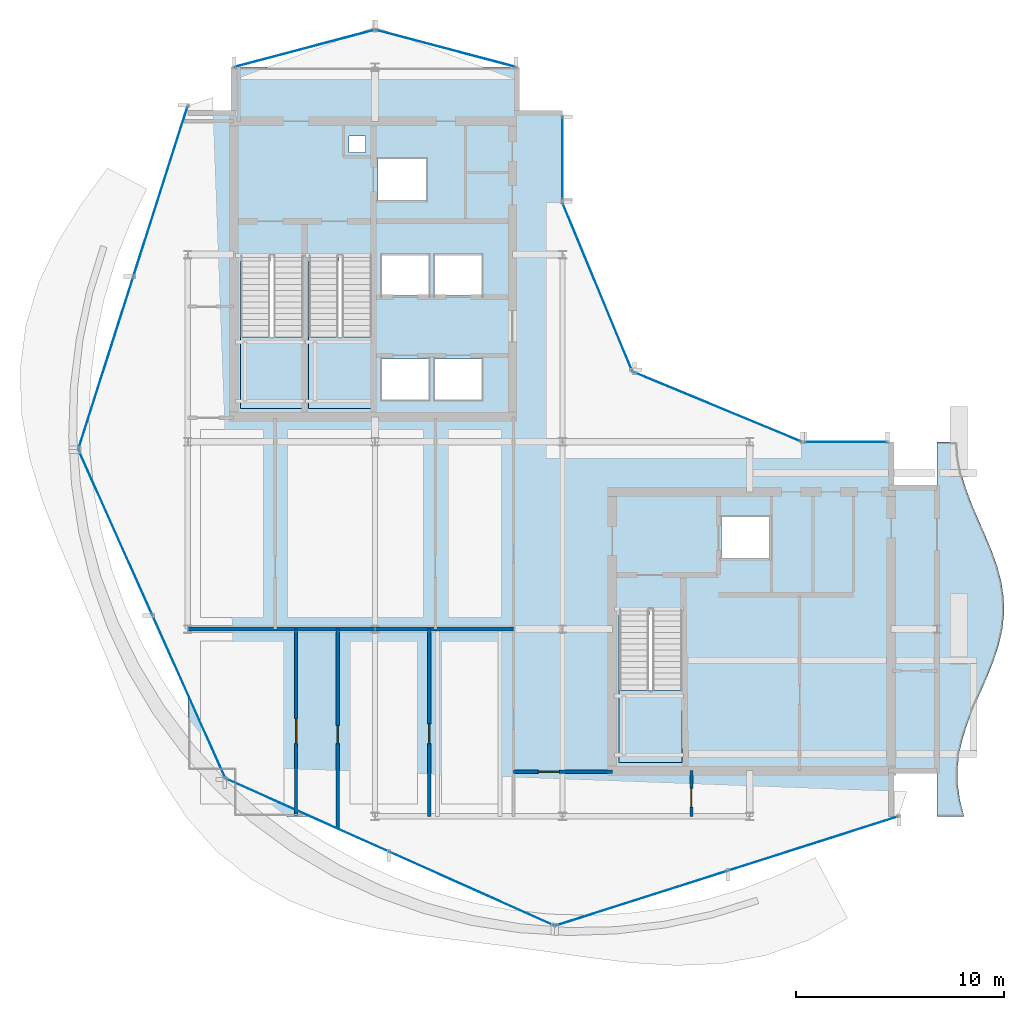
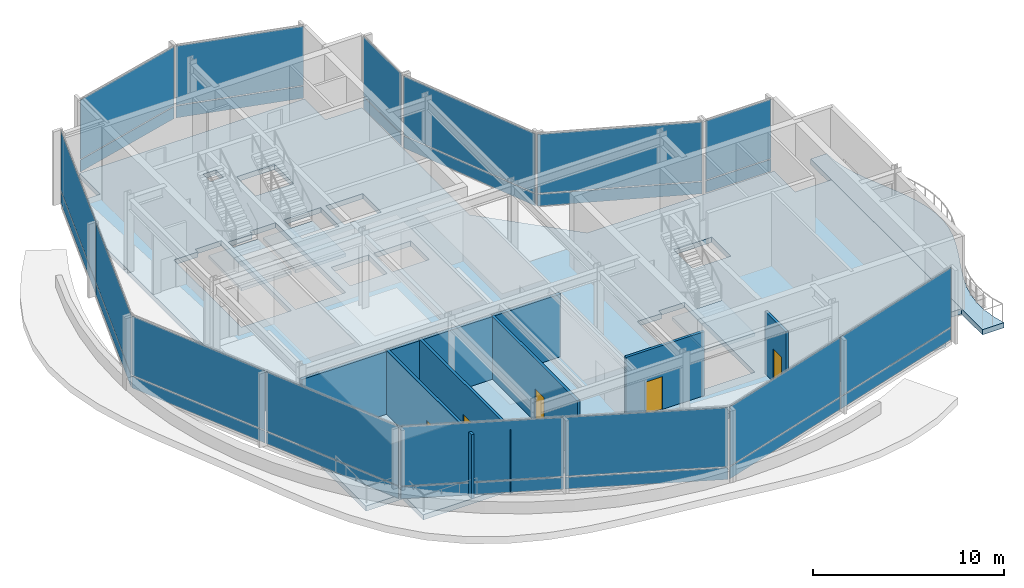
# One storey, part 16 of 23: 28 plates, 6 walls, 5 doors, 5 slabs, 5 openings, 13 elements without a shape of their own.
"""IFC4 building model written with IfcOpenShell, lengths in metres."""

from ifc_helpers import new_model, si_unit, direction, frame, frame_2d, origin, origin_2d, place, context, subcontext, project, spatial, polyline, rectangle, outline, extrude, material, layer, layer_set, type_object, element, fill, aggregate, save


model = new_model("IFC4")

# Units and contexts
model_context = context("Model", 3, precision=1e-05, world=origin(), true_north=direction((0.0, 1.0)))
body_context = subcontext(model_context, "Body", "Model", "MODEL_VIEW")
ifc_project = project(units=[si_unit("LENGTHUNIT", "METRE"), si_unit("AREAUNIT", "SQUARE_METRE"), si_unit("VOLUMEUNIT", "CUBIC_METRE"), si_unit("PLANEANGLEUNIT", "RADIAN"), si_unit("MASSUNIT", "GRAM", prefix="KILO")], contexts=[model_context])

# Site, building, storey
site_placement = place(None, origin())
site = spatial("IfcSite", under=ifc_project, at=site_placement, CompositionType="ELEMENT")
building_placement = place(site_placement, origin())
building = spatial("IfcBuilding", under=site, at=building_placement, Name="Solvaryn Broadcast Tower", CompositionType="ELEMENT")
storey_placement = place(building_placement, frame((0.0, 0.0, 235.800048828125)))
storey = spatial("IfcBuildingStorey", under=building, at=storey_placement, Name="L59", CompositionType="ELEMENT", Elevation=235.800048828125)

# Curtain wall, plates
ifc_material_1 = material(Name="Aluminium and Terracotta Unitised Curtain Wall", Category="masonry")
ifc_layer_1 = layer(ifc_material_1, 0.25)
ifc_layer_set_1 = layer_set([ifc_layer_1], Name="CW-SYS4-SKYGARDEN")
curtain_wall_type = type_object("IfcCurtainWallType", Name="CW-SYS4-SKYGARDEN", PredefinedType="NOTDEFINED", material=ifc_layer_set_1)
curtain_wall_1_placement = place(storey_placement, origin())
curtain_wall_1 = element("IfcCurtainWall", 1, at=curtain_wall_1_placement, inside=storey, type_object=curtain_wall_type, Name="L59 Curtain Wall DR1", PredefinedType="NOTDEFINED")
ifc_material_2 = material(Name="Low-Iron Insulated Vision Glass", Category="glass")
ifc_layer_2 = layer(ifc_material_2, 0.035888671875)
ifc_layer_set_2 = layer_set([ifc_layer_2], Name="CW-PNL-VISION")
plate_type = type_object("IfcPlateType", Name="CW-PNL-VISION", PredefinedType="CURTAIN_PANEL", material=ifc_layer_set_2)
plate_1_placement = place(storey_placement, frame((7.679931640625, 39.00634765625, 0.06005859375), z_axis=(0.0, 0.0, 1.0), x_axis=(-0.30361564569, -0.952794594701, 0.0)))
plate_1 = element("IfcPlate", 2, at=plate_1_placement, type_object=plate_type, Name="CWS4 panel 1.1", PredefinedType="CURTAIN_PANEL", context=body_context, shape_type="SweptSolid", body=[
    extrude(rectangle(XDim=8.575439453125, YDim=0.028076171875, at=origin_2d()), origin(), (0.0, 0.0, 1.0), 0.760009765625),
])
plate_2_placement = place(storey_placement, frame((7.679931640625, 39.00634765625, 0.8798828125), z_axis=(0.0, 0.0, 1.0), x_axis=(-0.30361564569, -0.952794594701, 0.0)))
plate_2 = element("IfcPlate", 3, at=plate_2_placement, type_object=plate_type, Name="CWS4 panel 1.2", PredefinedType="CURTAIN_PANEL", context=body_context, shape_type="SweptSolid", body=[
    extrude(rectangle(XDim=8.575439453125, YDim=0.028076171875, at=origin_2d()), origin(), (0.0, 0.0, 1.0), 3.780029296875),
])
plate_3_placement = place(storey_placement, frame((5.05810546875, 30.778564453125, 0.06005859375), z_axis=(0.0, 0.0, 1.0), x_axis=(-0.30361564569, -0.952794594701, 0.0)))
plate_3 = element("IfcPlate", 4, at=plate_3_placement, type_object=plate_type, Name="CWS4 panel 2.1", PredefinedType="CURTAIN_PANEL", context=body_context, shape_type="SweptSolid", body=[
    extrude(rectangle(XDim=8.575439453125, YDim=0.028076171875, at=origin_2d()), origin(), (0.0, 0.0, 1.0), 0.760009765625),
])
plate_4_placement = place(storey_placement, frame((5.05810546875, 30.778564453125, 0.8798828125), z_axis=(0.0, 0.0, 1.0), x_axis=(-0.30361564569, -0.952794594701, 0.0)))
plate_4 = element("IfcPlate", 5, at=plate_4_placement, type_object=plate_type, Name="CWS4 panel 2.2", PredefinedType="CURTAIN_PANEL", context=body_context, shape_type="SweptSolid", body=[
    extrude(rectangle(XDim=8.575439453125, YDim=0.028076171875, at=origin_2d()), origin(), (0.0, 0.0, 1.0), 3.780029296875),
])
aggregate(curtain_wall_1, [plate_1, plate_2, plate_3, plate_4])

curtain_wall_2_placement = place(storey_placement, origin())
curtain_wall_2 = element("IfcCurtainWall", 6, at=curtain_wall_2_placement, inside=storey, type_object=curtain_wall_type, Name="L59 Curtain Wall DR2", PredefinedType="NOTDEFINED")
plate_5_placement = place(storey_placement, frame((5.513916015625, 22.66748046875, 0.06005859375), z_axis=(0.0, 0.0, 1.0), x_axis=(0.408466010682, -0.912773530574, 0.0)))
plate_5 = element("IfcPlate", 7, at=plate_5_placement, type_object=plate_type, Name="CWS4 panel 1.1", PredefinedType="CURTAIN_PANEL", context=body_context, shape_type="SweptSolid", body=[
    extrude(rectangle(XDim=8.575439453125, YDim=0.028076171875, at=origin_2d()), origin(), (0.0, 0.0, 1.0), 0.760009765625),
])
plate_6_placement = place(storey_placement, frame((5.513916015625, 22.66748046875, 0.8798828125), z_axis=(0.0, 0.0, 1.0), x_axis=(0.408466010682, -0.912773530574, 0.0)))
plate_6 = element("IfcPlate", 8, at=plate_6_placement, type_object=plate_type, Name="CWS4 panel 1.2", PredefinedType="CURTAIN_PANEL", context=body_context, shape_type="SweptSolid", body=[
    extrude(rectangle(XDim=8.575439453125, YDim=0.028076171875, at=origin_2d()), origin(), (0.0, 0.0, 1.0), 3.780029296875),
])
plate_7_placement = place(storey_placement, frame((9.041015625, 14.785400390625, 0.06005859375), z_axis=(0.0, 0.0, 1.0), x_axis=(0.408466010682, -0.912773530574, 0.0)))
plate_7 = element("IfcPlate", 9, at=plate_7_placement, type_object=plate_type, Name="CWS4 panel 2.1", PredefinedType="CURTAIN_PANEL", context=body_context, shape_type="SweptSolid", body=[
    extrude(rectangle(XDim=8.575439453125, YDim=0.028076171875, at=origin_2d()), origin(), (0.0, 0.0, 1.0), 0.760009765625),
])
plate_8_placement = place(storey_placement, frame((9.041015625, 14.785400390625, 0.8798828125), z_axis=(0.0, 0.0, 1.0), x_axis=(0.408466010682, -0.912773530574, 0.0)))
plate_8 = element("IfcPlate", 10, at=plate_8_placement, type_object=plate_type, Name="CWS4 panel 2.2", PredefinedType="CURTAIN_PANEL", context=body_context, shape_type="SweptSolid", body=[
    extrude(rectangle(XDim=8.575439453125, YDim=0.028076171875, at=origin_2d()), origin(), (0.0, 0.0, 1.0), 3.780029296875),
])
aggregate(curtain_wall_2, [plate_5, plate_6, plate_7, plate_8])

curtain_wall_3_placement = place(storey_placement, origin())
curtain_wall_3 = element("IfcCurtainWall", 11, at=curtain_wall_3_placement, inside=storey, type_object=curtain_wall_type, Name="L59 Curtain Wall DR3", PredefinedType="NOTDEFINED")
plate_9_placement = place(storey_placement, frame((14.785400390625, 9.041015625, 0.06005859375), z_axis=(0.0, 0.0, 1.0), x_axis=(0.912773530574, -0.408466010682, 0.0)))
plate_9 = element("IfcPlate", 12, at=plate_9_placement, type_object=plate_type, Name="CWS4 panel 1.1", PredefinedType="CURTAIN_PANEL", context=body_context, shape_type="SweptSolid", body=[
    extrude(rectangle(XDim=8.575439453125, YDim=0.028076171875, at=origin_2d()), origin(), (0.0, 0.0, 1.0), 0.760009765625),
])
plate_10_placement = place(storey_placement, frame((14.785400390625, 9.041015625, 0.8798828125), z_axis=(0.0, 0.0, 1.0), x_axis=(0.912773530574, -0.408466010682, 0.0)))
plate_10 = element("IfcPlate", 13, at=plate_10_placement, type_object=plate_type, Name="CWS4 panel 1.2", PredefinedType="CURTAIN_PANEL", context=body_context, shape_type="SweptSolid", body=[
    extrude(rectangle(XDim=8.575439453125, YDim=0.028076171875, at=origin_2d()), origin(), (0.0, 0.0, 1.0), 3.780029296875),
])
plate_11_placement = place(storey_placement, frame((22.66748046875, 5.513916015625, 0.06005859375), z_axis=(0.0, 0.0, 1.0), x_axis=(0.912773530574, -0.408466010682, 0.0)))
plate_11 = element("IfcPlate", 14, at=plate_11_placement, type_object=plate_type, Name="CWS4 panel 2.1", PredefinedType="CURTAIN_PANEL", context=body_context, shape_type="SweptSolid", body=[
    extrude(rectangle(XDim=8.575439453125, YDim=0.028076171875, at=origin_2d()), origin(), (0.0, 0.0, 1.0), 0.760009765625),
])
plate_12_placement = place(storey_placement, frame((22.66748046875, 5.513916015625, 0.8798828125), z_axis=(0.0, 0.0, 1.0), x_axis=(0.912773530574, -0.408466010682, 0.0)))
plate_12 = element("IfcPlate", 15, at=plate_12_placement, type_object=plate_type, Name="CWS4 panel 2.2", PredefinedType="CURTAIN_PANEL", context=body_context, shape_type="SweptSolid", body=[
    extrude(rectangle(XDim=8.575439453125, YDim=0.028076171875, at=origin_2d()), origin(), (0.0, 0.0, 1.0), 3.780029296875),
])
aggregate(curtain_wall_3, [plate_9, plate_10, plate_11, plate_12])

curtain_wall_4_placement = place(storey_placement, origin())
curtain_wall_4 = element("IfcCurtainWall", 16, at=curtain_wall_4_placement, inside=storey, type_object=curtain_wall_type, Name="L59 Curtain Wall DR4", PredefinedType="NOTDEFINED")
plate_13_placement = place(storey_placement, frame((30.778564453125, 5.05810546875, 0.06005859375), z_axis=(0.0, 0.0, 1.0), x_axis=(0.952794594701, 0.30361564569, 0.0)))
plate_13 = element("IfcPlate", 17, at=plate_13_placement, type_object=plate_type, Name="CWS4 panel 1.1", PredefinedType="CURTAIN_PANEL", context=body_context, shape_type="SweptSolid", body=[
    extrude(rectangle(XDim=8.575439453125, YDim=0.028076171875, at=origin_2d()), origin(), (0.0, 0.0, 1.0), 0.760009765625),
])
plate_14_placement = place(storey_placement, frame((30.778564453125, 5.05810546875, 0.8798828125), z_axis=(0.0, 0.0, 1.0), x_axis=(0.952794594701, 0.30361564569, 0.0)))
plate_14 = element("IfcPlate", 18, at=plate_14_placement, type_object=plate_type, Name="CWS4 panel 1.2", PredefinedType="CURTAIN_PANEL", context=body_context, shape_type="SweptSolid", body=[
    extrude(rectangle(XDim=8.575439453125, YDim=0.028076171875, at=origin_2d()), origin(), (0.0, 0.0, 1.0), 3.780029296875),
])
plate_15_placement = place(storey_placement, frame((39.00634765625, 7.679931640625, 0.06005859375), z_axis=(0.0, 0.0, 1.0), x_axis=(0.952794594701, 0.30361564569, 0.0)))
plate_15 = element("IfcPlate", 19, at=plate_15_placement, type_object=plate_type, Name="CWS4 panel 2.1", PredefinedType="CURTAIN_PANEL", context=body_context, shape_type="SweptSolid", body=[
    extrude(rectangle(XDim=8.575439453125, YDim=0.028076171875, at=origin_2d()), origin(), (0.0, 0.0, 1.0), 0.760009765625),
])
plate_16_placement = place(storey_placement, frame((39.00634765625, 7.679931640625, 0.8798828125), z_axis=(0.0, 0.0, 1.0), x_axis=(0.952794594701, 0.30361564569, 0.0)))
plate_16 = element("IfcPlate", 20, at=plate_16_placement, type_object=plate_type, Name="CWS4 panel 2.2", PredefinedType="CURTAIN_PANEL", context=body_context, shape_type="SweptSolid", body=[
    extrude(rectangle(XDim=8.575439453125, YDim=0.028076171875, at=origin_2d()), origin(), (0.0, 0.0, 1.0), 3.780029296875),
])
aggregate(curtain_wall_4, [plate_13, plate_14, plate_15, plate_16])

curtain_wall_5_placement = place(storey_placement, origin())
curtain_wall_5 = element("IfcCurtainWall", 21, at=curtain_wall_5_placement, inside=storey, type_object=curtain_wall_type, Name="L59 Curtain Wall IV", PredefinedType="NOTDEFINED")
plate_17_placement = place(storey_placement, frame((27.0, 40.625, 0.06005859375), z_axis=(0.0, 0.0, 1.0), x_axis=(0.0, -1.0, 0.0)))
plate_17 = element("IfcPlate", 22, at=plate_17_placement, type_object=plate_type, Name="CWS4 panel 1.1", PredefinedType="CURTAIN_PANEL", context=body_context, shape_type="SweptSolid", body=[
    extrude(rectangle(XDim=3.929931640625, YDim=0.028076171875, at=origin_2d()), origin(), (0.0, 0.0, 1.0), 0.760009765625),
])
plate_18_placement = place(storey_placement, frame((27.0, 40.625, 0.8798828125), z_axis=(0.0, 0.0, 1.0), x_axis=(0.0, -1.0, 0.0)))
plate_18 = element("IfcPlate", 23, at=plate_18_placement, type_object=plate_type, Name="CWS4 panel 1.2", PredefinedType="CURTAIN_PANEL", context=body_context, shape_type="SweptSolid", body=[
    extrude(rectangle(XDim=3.929931640625, YDim=0.028076171875, at=origin_2d()), origin(), (0.0, 0.0, 1.0), 3.780029296875),
])
aggregate(curtain_wall_5, [plate_17, plate_18])

curtain_wall_6_placement = place(storey_placement, origin())
curtain_wall_6 = element("IfcCurtainWall", 24, at=curtain_wall_6_placement, inside=storey, type_object=curtain_wall_type, Name="L59 Curtain Wall CN1", PredefinedType="NOTDEFINED")
plate_19_placement = place(storey_placement, frame((34.43408203125, 28.68408203125, 0.06005859375), z_axis=(0.0, 0.0, 1.0), x_axis=(-0.923894983957, 0.382646127145, 0.0)))
plate_19 = element("IfcPlate", 25, at=plate_19_placement, type_object=plate_type, Name="CWS4 panel 1.1", PredefinedType="CURTAIN_PANEL", context=body_context, shape_type="SweptSolid", body=[
    extrude(rectangle(XDim=8.681884765625, YDim=0.028076171875, at=origin_2d()), origin(), (0.0, 0.0, 1.0), 0.760009765625),
])
plate_20_placement = place(storey_placement, frame((34.43408203125, 28.68408203125, 0.8798828125), z_axis=(0.0, 0.0, 1.0), x_axis=(-0.923894983957, 0.382646127145, 0.0)))
plate_20 = element("IfcPlate", 26, at=plate_20_placement, type_object=plate_type, Name="CWS4 panel 1.2", PredefinedType="CURTAIN_PANEL", context=body_context, shape_type="SweptSolid", body=[
    extrude(rectangle(XDim=8.681884765625, YDim=0.028076171875, at=origin_2d()), origin(), (0.0, 0.0, 1.0), 3.780029296875),
])
aggregate(curtain_wall_6, [plate_19, plate_20])

curtain_wall_7_placement = place(storey_placement, origin())
curtain_wall_7 = element("IfcCurtainWall", 27, at=curtain_wall_7_placement, inside=storey, type_object=curtain_wall_type, Name="L59 Curtain Wall CN2", PredefinedType="NOTDEFINED")
plate_21_placement = place(storey_placement, frame((28.68408203125, 34.43408203125, 0.06005859375), z_axis=(0.0, 0.0, 1.0), x_axis=(-0.382646127145, 0.923894983957, 0.0)))
plate_21 = element("IfcPlate", 28, at=plate_21_placement, type_object=plate_type, Name="CWS4 panel 1.1", PredefinedType="CURTAIN_PANEL", context=body_context, shape_type="SweptSolid", body=[
    extrude(rectangle(XDim=8.681884765625, YDim=0.028076171875, at=origin_2d()), origin(), (0.0, 0.0, 1.0), 0.760009765625),
])
plate_22_placement = place(storey_placement, frame((28.68408203125, 34.43408203125, 0.8798828125), z_axis=(0.0, 0.0, 1.0), x_axis=(-0.382646127145, 0.923894983957, 0.0)))
plate_22 = element("IfcPlate", 29, at=plate_22_placement, type_object=plate_type, Name="CWS4 panel 1.2", PredefinedType="CURTAIN_PANEL", context=body_context, shape_type="SweptSolid", body=[
    extrude(rectangle(XDim=8.681884765625, YDim=0.028076171875, at=origin_2d()), origin(), (0.0, 0.0, 1.0), 3.780029296875),
])
aggregate(curtain_wall_7, [plate_21, plate_22])

curtain_wall_8_placement = place(storey_placement, origin())
curtain_wall_8 = element("IfcCurtainWall", 30, at=curtain_wall_8_placement, inside=storey, type_object=curtain_wall_type, Name="L59 Curtain Wall NT1", PredefinedType="NOTDEFINED")
plate_23_placement = place(storey_placement, frame((21.39990234375, 45.89990234375, 0.06005859375), z_axis=(0.0, 0.0, 1.0), x_axis=(-0.966705227863, 0.25589256031, 0.0)))
plate_23 = element("IfcPlate", 31, at=plate_23_placement, type_object=plate_type, Name="CWS4 panel 1.1", PredefinedType="CURTAIN_PANEL", context=body_context, shape_type="SweptSolid", body=[
    extrude(rectangle(XDim=6.914306640625, YDim=0.028076171875, at=origin_2d()), origin(), (0.0, 0.0, 1.0), 0.760009765625),
])
plate_24_placement = place(storey_placement, frame((21.39990234375, 45.89990234375, 0.8798828125), z_axis=(0.0, 0.0, 1.0), x_axis=(-0.966705227863, 0.25589256031, 0.0)))
plate_24 = element("IfcPlate", 32, at=plate_24_placement, type_object=plate_type, Name="CWS4 panel 1.2", PredefinedType="CURTAIN_PANEL", context=body_context, shape_type="SweptSolid", body=[
    extrude(rectangle(XDim=6.914306640625, YDim=0.028076171875, at=origin_2d()), origin(), (0.0, 0.0, 1.0), 3.780029296875),
])
aggregate(curtain_wall_8, [plate_23, plate_24])

curtain_wall_9_placement = place(storey_placement, origin())
curtain_wall_9 = element("IfcCurtainWall", 33, at=curtain_wall_9_placement, inside=storey, type_object=curtain_wall_type, Name="L59 Curtain Wall NT2", PredefinedType="NOTDEFINED")
plate_25_placement = place(storey_placement, frame((14.60009765625, 45.89990234375, 0.06005859375), z_axis=(0.0, 0.0, 1.0), x_axis=(-0.966705227863, -0.25589256031, 0.0)))
plate_25 = element("IfcPlate", 34, at=plate_25_placement, type_object=plate_type, Name="CWS4 panel 1.1", PredefinedType="CURTAIN_PANEL", context=body_context, shape_type="SweptSolid", body=[
    extrude(rectangle(XDim=6.914306640625, YDim=0.028076171875, at=origin_2d()), origin(), (0.0, 0.0, 1.0), 0.760009765625),
])
plate_26_placement = place(storey_placement, frame((14.60009765625, 45.89990234375, 0.8798828125), z_axis=(0.0, 0.0, 1.0), x_axis=(-0.966705227863, -0.25589256031, 0.0)))
plate_26 = element("IfcPlate", 35, at=plate_26_placement, type_object=plate_type, Name="CWS4 panel 1.2", PredefinedType="CURTAIN_PANEL", context=body_context, shape_type="SweptSolid", body=[
    extrude(rectangle(XDim=6.914306640625, YDim=0.028076171875, at=origin_2d()), origin(), (0.0, 0.0, 1.0), 3.780029296875),
])
aggregate(curtain_wall_9, [plate_25, plate_26])

curtain_wall_10_placement = place(storey_placement, origin())
curtain_wall_10 = element("IfcCurtainWall", 36, at=curtain_wall_10_placement, inside=storey, type_object=curtain_wall_type, Name="L59 Curtain Wall IH", PredefinedType="NOTDEFINED")
plate_27_placement = place(storey_placement, frame((40.625, 27.0, 0.06005859375), z_axis=(0.0, 0.0, 1.0), x_axis=(1.0, 0.0, 0.0)))
plate_27 = element("IfcPlate", 37, at=plate_27_placement, type_object=plate_type, Name="CWS4 panel 1.1", PredefinedType="CURTAIN_PANEL", context=body_context, shape_type="SweptSolid", body=[
    extrude(rectangle(XDim=3.929931640625, YDim=0.028076171875, at=origin_2d()), origin(), (0.0, 0.0, 1.0), 0.760009765625),
])
plate_28_placement = place(storey_placement, frame((40.625, 27.0, 0.8798828125), z_axis=(0.0, 0.0, 1.0), x_axis=(1.0, 0.0, 0.0)))
plate_28 = element("IfcPlate", 38, at=plate_28_placement, type_object=plate_type, Name="CWS4 panel 1.2", PredefinedType="CURTAIN_PANEL", context=body_context, shape_type="SweptSolid", body=[
    extrude(rectangle(XDim=3.929931640625, YDim=0.028076171875, at=origin_2d()), origin(), (0.0, 0.0, 1.0), 3.780029296875),
])
aggregate(curtain_wall_10, [plate_27, plate_28])

# Stair, slab
ifc_material_3 = material(Name="Concrete f'c 60 MPa", Category="concrete")
stair_type = type_object("IfcStairType", Name="ST-CORE", PredefinedType="HALF_TURN_STAIR", material=ifc_material_3)
stair_1_placement = place(storey_placement, origin())
stair_1 = element("IfcStair", 39, at=stair_1_placement, inside=storey, type_object=stair_type, Name="L59 ST1", PredefinedType="HALF_TURN_STAIR")
ifc_material_4 = material(Name="Concrete f'c 60 MPa", Category="concrete")
ifc_layer_3 = layer(ifc_material_4, 0.199951171875)
ifc_layer_set_3 = layer_set([ifc_layer_3], Name="SL-LANDING-200")
slab_type_1 = type_object("IfcSlabType", Name="SL-LANDING-200", PredefinedType="LANDING", material=ifc_layer_set_3)
slab_1_placement = place(storey_placement, frame((0.0, 0.0, 2.300048828125)))
slab_1 = element("IfcSlab", 40, at=slab_1_placement, type_object=slab_type_1, Name="ST1 landing 1", PredefinedType="LANDING", context=body_context, shape_type="SweptSolid", body=[
    extrude(outline(polyline([(11.52001953125, 32.0400390625), (11.52001953125, 28.60009765625), (14.550048828125, 28.60009765625), (14.550048828125, 32.0400390625), (11.52001953125, 32.0400390625)])), origin(), (0.0, 0.0, 1.0), 0.199951171875),
])
aggregate(stair_1, [slab_1])

stair_2_placement = place(storey_placement, origin())
stair_2 = element("IfcStair", 41, at=stair_2_placement, inside=storey, type_object=stair_type, Name="L59 ST2", PredefinedType="HALF_TURN_STAIR")
slab_2_placement = place(storey_placement, frame((0.0, 0.0, 2.300048828125)))
slab_2 = element("IfcSlab", 42, at=slab_2_placement, type_object=slab_type_1, Name="ST2 landing 1", PredefinedType="LANDING", context=body_context, shape_type="SweptSolid", body=[
    extrude(outline(polyline([(14.800048828125, 32.0400390625), (14.800048828125, 28.60009765625), (17.830078125, 28.60009765625), (17.830078125, 32.0400390625), (14.800048828125, 32.0400390625)])), origin(), (0.0, 0.0, 1.0), 0.199951171875),
])
aggregate(stair_2, [slab_2])

stair_3_placement = place(storey_placement, origin())
stair_3 = element("IfcStair", 43, at=stair_3_placement, inside=storey, type_object=stair_type, Name="L59 ST3", PredefinedType="HALF_TURN_STAIR")
slab_3_placement = place(storey_placement, frame((0.0, 0.0, 2.300048828125)))
slab_3 = element("IfcSlab", 44, at=slab_3_placement, type_object=slab_type_1, Name="ST3 landing 1", PredefinedType="LANDING", context=body_context, shape_type="SweptSolid", body=[
    extrude(outline(polyline([(29.719970703125, 15.0400390625), (29.719970703125, 11.60009765625), (32.75, 11.60009765625), (32.75, 15.0400390625), (29.719970703125, 15.0400390625)])), origin(), (0.0, 0.0, 1.0), 0.199951171875),
])
aggregate(stair_3, [slab_3])

# Slabs
ifc_material_5 = material(Name="Concrete f'c 60 MPa", Category="concrete")
ifc_layer_4 = layer(ifc_material_5, 0.330078125)
ifc_layer_set_4 = layer_set([ifc_layer_4], Name="SL-PLT-330")
slab_type_2 = type_object("IfcSlabType", Name="SL-PLT-330", PredefinedType="FLOOR", material=ifc_layer_set_4)
slab_4_placement = place(storey_placement, frame((0.0, 0.0, -0.330078125)))
element("IfcSlab", 45, at=slab_4_placement, inside=storey, type_object=slab_type_2, Name="L59 Structural Floor Slab", PredefinedType="FLOOR", context=body_context, shape_type="SweptSolid", body=[
    extrude(outline(polyline([(11.199951171875, 9.0), (42.800048828125, 9.0), (42.800048828125, 11.199951171875), (45.0, 11.199951171875), (45.0, 24.800048828125), (42.800048828125, 24.800048828125), (42.800048828125, 27.0), (31.5, 27.0), (27.0, 31.5), (27.0, 42.800048828125), (24.800048828125, 42.800048828125), (24.800048828125, 45.0), (11.199951171875, 45.0), (11.199951171875, 42.800048828125), (9.0, 42.800048828125), (9.0, 11.199951171875), (11.199951171875, 11.199951171875), (11.199951171875, 9.0)]), holes=[polyline([(11.52001953125, 28.60009765625), (14.550048828125, 28.60009765625), (14.550048828125, 35.9599609375), (12.97998046875, 35.9599609375), (12.97998046875, 35.679931640625), (11.52001953125, 35.679931640625), (11.52001953125, 28.60009765625)]), polyline([(14.800048828125, 28.60009765625), (17.830078125, 28.60009765625), (17.830078125, 35.9599609375), (16.260009765625, 35.9599609375), (16.260009765625, 35.679931640625), (14.800048828125, 35.679931640625), (14.800048828125, 28.60009765625)]), polyline([(29.719970703125, 11.60009765625), (32.75, 11.60009765625), (32.75, 18.9599609375), (31.179931640625, 18.9599609375), (31.179931640625, 18.679931640625), (29.719970703125, 18.679931640625), (29.719970703125, 11.60009765625)]), polyline([(18.14990234375, 38.60009765625), (20.449951171875, 38.60009765625), (20.449951171875, 40.60009765625), (18.14990234375, 40.60009765625), (18.14990234375, 38.60009765625)]), polyline([(18.324951171875, 29.02490234375), (20.574951171875, 29.02490234375), (20.574951171875, 30.97509765625), (18.324951171875, 30.97509765625), (18.324951171875, 29.02490234375)]), polyline([(20.875, 29.02490234375), (23.125, 29.02490234375), (23.125, 30.97509765625), (20.875, 30.97509765625), (20.875, 29.02490234375)]), polyline([(18.324951171875, 34.02490234375), (20.574951171875, 34.02490234375), (20.574951171875, 35.97509765625), (18.324951171875, 35.97509765625), (18.324951171875, 34.02490234375)]), polyline([(20.875, 34.02490234375), (23.125, 34.02490234375), (23.125, 35.97509765625), (20.875, 35.97509765625), (20.875, 34.02490234375)]), polyline([(34.64990234375, 21.39990234375), (36.949951171875, 21.39990234375), (36.949951171875, 23.39990234375), (34.64990234375, 23.39990234375), (34.64990234375, 21.39990234375)]), polyline([(16.75, 40.89990234375), (17.550048828125, 40.89990234375), (17.550048828125, 41.699951171875), (16.75, 41.699951171875), (16.75, 40.89990234375)])]), origin(), (0.0, 0.0, 1.0), 0.330078125),
])
ifc_material_6 = material(Name="Concrete f'c 60 MPa", Category="concrete")
ifc_layer_5 = layer(ifc_material_6, 0.239990234375)
ifc_layer_set_5 = layer_set([ifc_layer_5], Name="SL-SKYG-240")
slab_type_3 = type_object("IfcSlabType", Name="SL-SKYG-240", PredefinedType="FLOOR", material=ifc_layer_set_5)
slab_5_placement = place(storey_placement, frame((0.0, 0.0, -0.330078125)))
element("IfcSlab", 46, at=slab_5_placement, inside=storey, type_object=slab_type_3, Name="L59 Wave-Edged Terrace Slab TSSG4", PredefinedType="FLOOR", context=body_context, shape_type="SweptSolid", body=[
    extrude(outline(polyline([(46.304931640625, 9.0), (46.10791015625, 9.75), (45.9970703125, 10.5), (45.97998046875, 11.25), (46.06103515625, 12.0), (46.22998046875, 12.75), (46.47509765625, 13.5), (46.77294921875, 14.25), (47.10009765625, 15.0), (47.427001953125, 15.75), (47.72509765625, 16.5), (47.969970703125, 17.25), (48.138916015625, 18.0), (48.219970703125, 18.75), (48.202880859375, 19.5), (48.092041015625, 20.25), (47.89501953125, 21.0), (47.6298828125, 21.75), (47.319091796875, 22.5), (46.989990234375, 23.25), (46.6689453125, 24.0), (46.385986328125, 24.75), (46.1650390625, 25.5), (46.02294921875, 26.25), (45.97509765625, 27.0), (45.0, 27.0), (45.0, 26.25), (45.0, 25.5), (45.0, 24.75), (45.0, 24.0), (45.0, 23.25), (45.0, 22.5), (45.0, 21.75), (45.0, 21.0), (45.0, 20.25), (45.0, 19.5), (45.0, 18.75), (45.0, 18.0), (45.0, 17.25), (45.0, 16.5), (45.0, 15.75), (45.0, 15.0), (45.0, 14.25), (45.0, 13.5), (45.0, 12.75), (45.0, 12.0), (45.0, 11.25), (45.0, 10.5), (45.0, 9.75), (45.0, 9.0), (46.304931640625, 9.0)])), origin(), (0.0, 0.0, 1.0), 0.330078125),
])

# Wall, opening, door
ifc_material_7 = material(Name="Metal-Stud Service Core Partition")
ifc_layer_6 = layer(ifc_material_7, 0.14990234375)
ifc_layer_set_6 = layer_set([ifc_layer_6], Name="IW-PART-150")
wall_type_1 = type_object("IfcWallType", Name="IW-PART-150", PredefinedType="PARTITIONING", material=ifc_layer_set_6)
wall_1_placement = place(storey_placement, frame((33.199951171875, 9.0, 0.0), z_axis=(0.0, 0.0, 1.0), x_axis=(0.0, 1.0, 0.0)))
wall_1 = element("IfcWall", 47, at=wall_1_placement, inside=storey, type_object=wall_type_1, Name="L59 Interior Partition IW-L59-SC-V", PredefinedType="PARTITIONING", context=body_context, shape_type="SweptSolid", body=[
    extrude(rectangle(XDim=2.199951171875, YDim=0.14990234375, at=frame_2d((1.10009765625, 0.0))), origin(), (0.0, 0.0, 1.0), 4.0068359375),
])
opening_1_placement = place(wall_1_placement, frame((0.449951171875, 0.0, 0.0)))
opening_1 = element("IfcOpeningElement", 48, at=opening_1_placement, cuts=wall_1, Name="Opening FD60C", PredefinedType="OPENING", context=body_context, shape_type="SweptSolid", body=[
    extrude(rectangle(XDim=0.89990234375, YDim=2.10009765625, at=frame_2d((0.449951171875, 1.050048828125))), frame((0.0, 0.0849609375, 0.0), z_axis=(0.0, -1.0, 0.0), x_axis=(1.0, 0.0, 0.0)), (0.0, 0.0, 1.0), 0.169921875),
])
ifc_material_8 = material(Name="Flush Acoustic Steel and Timber Door Assembly", Category="steel")
door_type_1 = type_object("IfcDoorType", Name="FD60-SERV-900X2100", OperationType="NOTDEFINED", PredefinedType="DOOR", material=ifc_material_8)
door_1_placement = place(opening_1_placement, origin())
door_1 = element("IfcDoor", 49, at=door_1_placement, inside=storey, type_object=door_type_1, Name="L59 Door DR-L59-SC1", OperationType="SINGLE_SWING_LEFT", OverallHeight=2.10009765625, OverallWidth=0.89990234375, PredefinedType="DOOR", context=body_context, shape_type="SweptSolid", body=[
    extrude(rectangle(XDim=0.89990234375, YDim=2.10009765625, at=frame_2d((0.449951171875, 1.050048828125))), frame((0.0, 0.02490234375, 0.0), z_axis=(0.0, -1.0, 0.0), x_axis=(1.0, 0.0, 0.0)), (0.0, 0.0, 1.0), 0.050048828125),
])
fill(opening_1, door_1)

ifc_material_9 = material(Name="Metal-Stud Gypsum Office Partition")
ifc_layer_7 = layer(ifc_material_9, 0.159912109375)
ifc_layer_set_7 = layer_set([ifc_layer_7], Name="IW-PART-160")
wall_type_2 = type_object("IfcWallType", Name="IW-PART-160", PredefinedType="PARTITIONING", material=ifc_layer_set_7)
wall_2_placement = place(storey_placement, frame((14.199951171875, 9.0, 0.0), z_axis=(0.0, 0.0, 1.0), x_axis=(0.0, 1.0, 0.0)))
wall_2 = element("IfcWall", 50, at=wall_2_placement, inside=storey, type_object=wall_type_2, Name="L59 Interior Partition IW-L59-SWS-V1", PredefinedType="PARTITIONING", context=body_context, shape_type="SweptSolid", body=[
    extrude(rectangle(XDim=9.0, YDim=0.159912109375, at=frame_2d((4.5, 0.0))), origin(), (0.0, 0.0, 1.0), 4.0888671875),
])
opening_2_placement = place(wall_2_placement, frame((3.5, 0.0, 0.0)))
opening_2 = element("IfcOpeningElement", 51, at=opening_2_placement, cuts=wall_2, Name="Opening ID04", PredefinedType="OPENING", context=body_context, shape_type="SweptSolid", body=[
    extrude(rectangle(XDim=1.199951171875, YDim=2.14990234375, at=frame_2d((0.60009765625, 1.074951171875))), frame((0.0, 0.090087890625, 0.0), z_axis=(0.0, -1.0, 0.0), x_axis=(1.0, 0.0, 0.0)), (0.0, 0.0, 1.0), 0.179931640625),
])
ifc_material_10 = material(Name="Flush Acoustic Steel and Timber Door Assembly", Category="steel")
door_type_2 = type_object("IfcDoorType", Name="ID-04-1200X2150", OperationType="NOTDEFINED", PredefinedType="DOOR", material=ifc_material_10)
door_2_placement = place(opening_2_placement, origin())
door_2 = element("IfcDoor", 52, at=door_2_placement, inside=storey, type_object=door_type_2, Name="L59 Door DR-L59-SWS-1", OperationType="SINGLE_SWING_LEFT", OverallHeight=2.14990234375, OverallWidth=1.199951171875, PredefinedType="DOOR", context=body_context, shape_type="SweptSolid", body=[
    extrude(rectangle(XDim=1.199951171875, YDim=2.14990234375, at=frame_2d((0.60009765625, 1.074951171875))), frame((0.0, 0.02490234375, 0.0), z_axis=(0.0, -1.0, 0.0), x_axis=(1.0, 0.0, 0.0)), (0.0, 0.0, 1.0), 0.050048828125),
])
fill(opening_2, door_2)

wall_3_placement = place(storey_placement, frame((16.199951171875, 8.407958984375, 0.0), z_axis=(0.0, 0.0, 1.0), x_axis=(0.0, 1.0, 0.0)))
wall_3 = element("IfcWall", 53, at=wall_3_placement, inside=storey, type_object=wall_type_2, Name="L59 Interior Partition IW-L59-SWS-V2", PredefinedType="PARTITIONING", context=body_context, shape_type="SweptSolid", body=[
    extrude(rectangle(XDim=9.592041015625, YDim=0.159912109375, at=frame_2d((4.7958984375, 0.0))), origin(), (0.0, 0.0, 1.0), 4.0888671875),
])
opening_3_placement = place(wall_3_placement, frame((4.092041015625, 0.0, 0.0)))
opening_3 = element("IfcOpeningElement", 54, at=opening_3_placement, cuts=wall_3, Name="Opening ID07", PredefinedType="OPENING", context=body_context, shape_type="SweptSolid", body=[
    extrude(rectangle(XDim=0.860107421875, YDim=2.050048828125, at=frame_2d((0.43017578125, 1.02490234375))), frame((0.0, 0.090087890625, 0.0), z_axis=(0.0, -1.0, 0.0), x_axis=(1.0, 0.0, 0.0)), (0.0, 0.0, 1.0), 0.179931640625),
])
ifc_material_11 = material(Name="Flush Acoustic Steel and Timber Door Assembly", Category="steel")
door_type_3 = type_object("IfcDoorType", Name="ID-07-860X2050", OperationType="NOTDEFINED", PredefinedType="DOOR", material=ifc_material_11)
door_3_placement = place(opening_3_placement, origin())
door_3 = element("IfcDoor", 55, at=door_3_placement, inside=storey, type_object=door_type_3, Name="L59 Door DR-L59-SWS-2", OperationType="SINGLE_SWING_RIGHT", OverallHeight=2.050048828125, OverallWidth=0.860107421875, PredefinedType="DOOR", context=body_context, shape_type="SweptSolid", body=[
    extrude(rectangle(XDim=0.860107421875, YDim=2.050048828125, at=frame_2d((0.43017578125, 1.02490234375))), frame((0.0, 0.02490234375, 0.0), z_axis=(0.0, -1.0, 0.0), x_axis=(1.0, 0.0, 0.0)), (0.0, 0.0, 1.0), 0.050048828125),
])
fill(opening_3, door_3)

wall_4_placement = place(storey_placement, frame((20.60009765625, 9.0, 0.0), z_axis=(0.0, 0.0, 1.0), x_axis=(0.0, 1.0, 0.0)))
wall_4 = element("IfcWall", 56, at=wall_4_placement, inside=storey, type_object=wall_type_2, Name="L59 Interior Partition IW-L59-SWS-V3", PredefinedType="PARTITIONING", context=body_context, shape_type="SweptSolid", body=[
    extrude(rectangle(XDim=9.0, YDim=0.159912109375, at=frame_2d((4.5, 0.0))), origin(), (0.0, 0.0, 1.0), 4.0068359375),
])
opening_4_placement = place(wall_4_placement, frame((3.5, 0.0, 0.0)))
opening_4 = element("IfcOpeningElement", 57, at=opening_4_placement, cuts=wall_4, Name="Opening ID01", PredefinedType="OPENING", context=body_context, shape_type="SweptSolid", body=[
    extrude(rectangle(XDim=0.949951171875, YDim=2.10009765625, at=frame_2d((0.47509765625, 1.050048828125))), frame((0.0, 0.090087890625, 0.0), z_axis=(0.0, -1.0, 0.0), x_axis=(1.0, 0.0, 0.0)), (0.0, 0.0, 1.0), 0.179931640625),
])
ifc_material_12 = material(Name="Flush Acoustic Steel and Timber Door Assembly", Category="steel")
door_type_4 = type_object("IfcDoorType", Name="ID-01-950X2100", OperationType="NOTDEFINED", PredefinedType="DOOR", material=ifc_material_12)
door_4_placement = place(opening_4_placement, origin())
door_4 = element("IfcDoor", 58, at=door_4_placement, inside=storey, type_object=door_type_4, Name="L59 Door DR-L59-SWS-3", OperationType="SINGLE_SWING_LEFT", OverallHeight=2.10009765625, OverallWidth=0.949951171875, PredefinedType="DOOR", context=body_context, shape_type="SweptSolid", body=[
    extrude(rectangle(XDim=0.949951171875, YDim=2.10009765625, at=frame_2d((0.47509765625, 1.050048828125))), frame((0.0, 0.02490234375, 0.0), z_axis=(0.0, -1.0, 0.0), x_axis=(1.0, 0.0, 0.0)), (0.0, 0.0, 1.0), 0.050048828125),
])
fill(opening_4, door_4)

wall_5_placement = place(storey_placement, frame((24.64990234375, 11.14990234375, 0.0), z_axis=(0.0, 0.0, 1.0), x_axis=(1.0, 0.0, 0.0)))
wall_5 = element("IfcWall", 59, at=wall_5_placement, inside=storey, type_object=wall_type_2, Name="L59 Interior Partition IW-L59-SC-N", PredefinedType="PARTITIONING", context=body_context, shape_type="SweptSolid", body=[
    extrude(rectangle(XDim=4.75, YDim=0.159912109375, at=frame_2d((2.375, 0.0))), origin(), (0.0, 0.0, 1.0), 4.092041015625),
])
opening_5_placement = place(wall_5_placement, frame((1.199951171875, 0.0, 0.0)))
opening_5 = element("IfcOpeningElement", 60, at=opening_5_placement, cuts=wall_5, Name="Opening ID02", PredefinedType="OPENING", context=body_context, shape_type="SweptSolid", body=[
    extrude(rectangle(XDim=1.0, YDim=2.10009765625, at=frame_2d((0.5, 1.050048828125))), frame((0.0, 0.090087890625, 0.0), z_axis=(0.0, -1.0, 0.0), x_axis=(1.0, 0.0, 0.0)), (0.0, 0.0, 1.0), 0.179931640625),
])
ifc_material_13 = material(Name="Flush Acoustic Steel and Timber Door Assembly", Category="steel")
door_type_5 = type_object("IfcDoorType", Name="ID-02-1000X2100", OperationType="NOTDEFINED", PredefinedType="DOOR", material=ifc_material_13)
door_5_placement = place(opening_5_placement, origin())
door_5 = element("IfcDoor", 61, at=door_5_placement, inside=storey, type_object=door_type_5, Name="L59 Door DR-L59-SC0", OperationType="SINGLE_SWING_RIGHT", OverallHeight=2.10009765625, OverallWidth=1.0, PredefinedType="DOOR", context=body_context, shape_type="SweptSolid", body=[
    extrude(rectangle(XDim=1.0, YDim=2.10009765625, at=frame_2d((0.5, 1.050048828125))), frame((0.0, 0.02490234375, 0.0), z_axis=(0.0, -1.0, 0.0), x_axis=(1.0, 0.0, 0.0)), (0.0, 0.0, 1.0), 0.050048828125),
])
fill(opening_5, door_5)

# Wall
ifc_material_14 = material(Name="Acoustic Metal-Stud Gypsum Partition")
ifc_layer_8 = layer(ifc_material_14, 0.179931640625)
ifc_layer_set_8 = layer_set([ifc_layer_8], Name="IW-PART-180")
wall_type_3 = type_object("IfcWallType", Name="IW-PART-180", PredefinedType="PARTITIONING", material=ifc_layer_set_8)
wall_6_placement = place(storey_placement, frame((9.0, 18.0, 0.0), z_axis=(0.0, 0.0, 1.0), x_axis=(1.0, 0.0, 0.0)))
element("IfcWall", 62, at=wall_6_placement, inside=storey, type_object=wall_type_3, Name="L59 Interior Partition IW-L59-SW-HY", PredefinedType="PARTITIONING", context=body_context, shape_type="SweptSolid", body=[
    extrude(rectangle(XDim=15.64990234375, YDim=0.179931640625, at=frame_2d((7.824951171875, 0.0))), origin(), (0.0, 0.0, 1.0), 4.0068359375),
])

save(model, "model.ifc")
